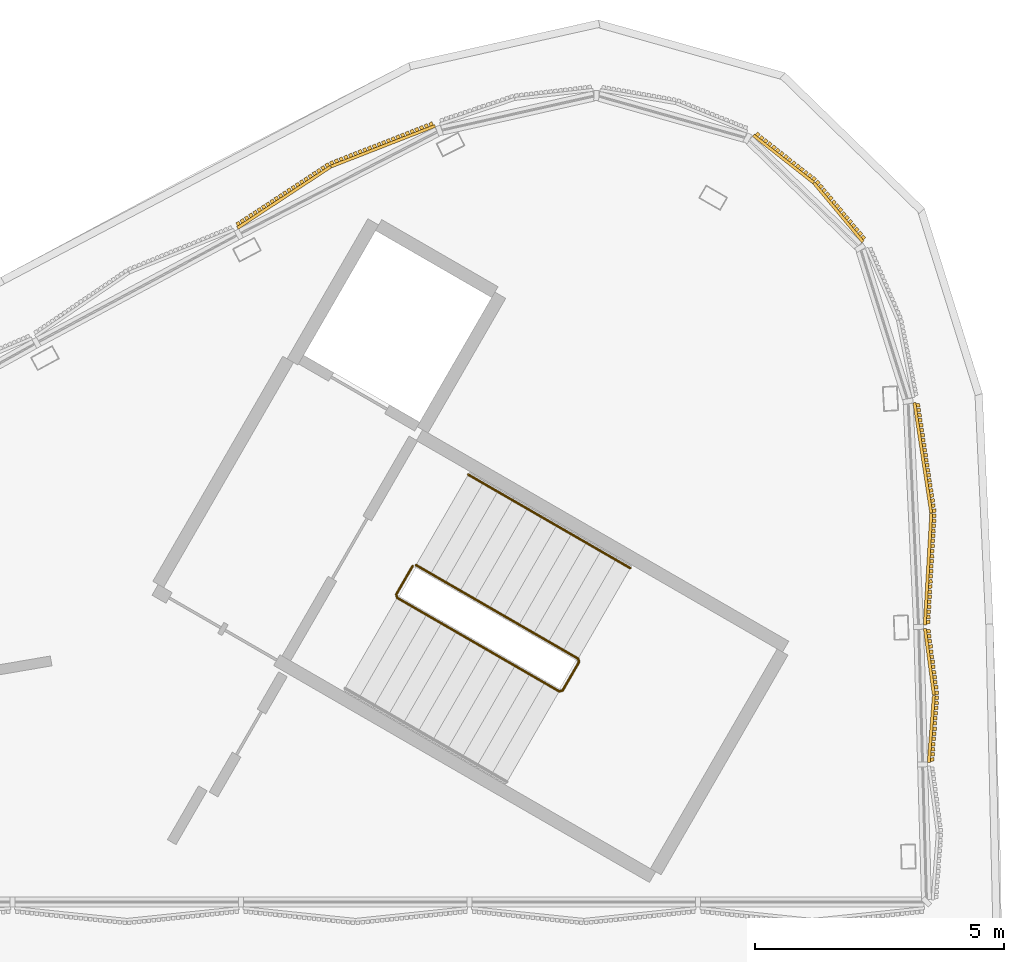
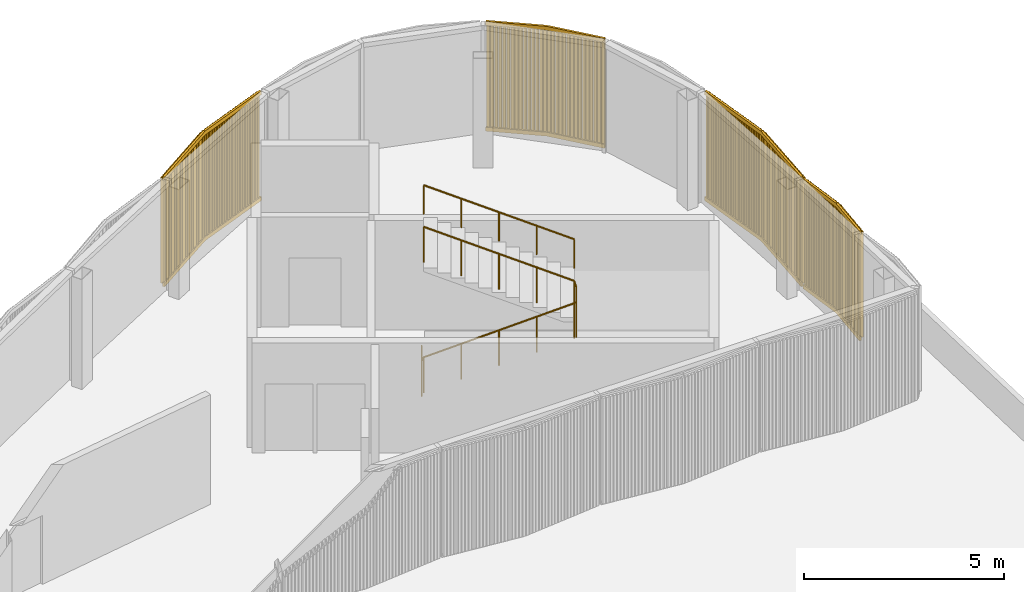
# One storey, part 15 of 16: 4 coverings, 2 railings.
"""IFC4 building model written with IfcOpenShell, lengths in metres."""

from ifc_helpers import new_model, si_unit, direction, frame, frame_2d, origin, origin_2d, place, context, subcontext, project, spatial, rectangle, circle, extrude, source, transform, mapped, material, type_object, element, save


model = new_model("IFC4")

# Units and contexts
model_context = context("Model", 3, precision=1e-05, world=origin(), true_north=direction((0.0, 1.0)))
body_context = subcontext(model_context, "Body", "Model", "MODEL_VIEW")
ifc_project = project(units=[si_unit("LENGTHUNIT", "METRE"), si_unit("AREAUNIT", "SQUARE_METRE"), si_unit("VOLUMEUNIT", "CUBIC_METRE"), si_unit("PLANEANGLEUNIT", "RADIAN"), si_unit("MASSUNIT", "GRAM", prefix="KILO")], contexts=[model_context])

# Site, building, storey
site_placement = place(None, origin())
site = spatial("IfcSite", under=ifc_project, at=site_placement, CompositionType="ELEMENT")
building_placement = place(site_placement, origin())
building = spatial("IfcBuilding", under=site, at=building_placement, Name="Tamra Quay Hotel Tower", CompositionType="ELEMENT")
storey_placement = place(building_placement, frame((0.0, 0.0, 320.60009765625)))
storey = spatial("IfcBuildingStorey", under=building, at=storey_placement, Name="Roof crown 1", CompositionType="ELEMENT", Elevation=320.60009765625)

# Railings
ifc_material_1 = material(Name="Stair guard 1100")
railing_type_1 = type_object("IfcRailingType", Name="Stair guard 1100", PredefinedType="GUARDRAIL", material=ifc_material_1)
railing_1_placement = place(storey_placement, frame((5.595458984375, 12.751953125, 0.0)))
element("IfcRailing", 1, at=railing_1_placement, inside=storey, type_object=railing_type_1, Name="GR", PredefinedType="GUARDRAIL", context=body_context, shape_type="SweptSolid", body=[
    extrude(circle(Radius=0.02392578125, at=origin_2d()), frame((0.0, 0.0, 1.076171875), z_axis=(-0.499765215335, -0.866160914346, 0.0), x_axis=(0.866160914346, -0.499765215335, 0.0)), (0.0, 0.0, 1.0), 0.658935546875),
    extrude(circle(Radius=0.02392578125, at=origin_2d()), frame((-0.329345703125, -0.57080078125, 1.076171875), z_axis=(0.110525977783, -0.411156637351, 0.904839338113), x_axis=(0.965715946433, 0.259601060869, 0.0)), (0.0, 0.0, 1.0), 0.165771484375),
    extrude(circle(Radius=0.02392578125, at=origin_2d()), frame((-0.31103515625, -0.638916015625, 1.22607421875), z_axis=(0.793078462799, -0.457933869594, 0.401650498471), x_axis=(0.500040788363, 0.866001853331, 0.0)), (0.0, 0.0, 1.0), 4.10791015625),
    extrude(circle(Radius=0.02392578125, at=origin_2d()), frame((2.94677734375, -2.52001953125, 2.8759765625), z_axis=(0.965948051503, 0.258736085224, 0.0), x_axis=(-0.258736085224, 0.965948051503, 0.0)), (0.0, 0.0, 1.0), 0.07080078125),
    extrude(circle(Radius=0.02392578125, at=origin_2d()), frame((3.01513671875, -2.501708984375, 2.8759765625), z_axis=(0.500043078269, 0.866000531106, 0.0), x_axis=(-0.866000531106, 0.500043078269, 0.0)), (0.0, 0.0, 1.0), 0.6591796875),
    extrude(circle(Radius=0.02392578125, at=origin_2d()), frame((3.3447265625, -1.930908203125, 2.8759765625), z_axis=(-0.110378772244, 0.410609032747, 0.905105932399), x_axis=(-0.965715946433, -0.259601060869, 0.0)), (0.0, 0.0, 1.0), 0.165771484375),
    extrude(circle(Radius=0.02392578125, at=origin_2d()), frame((3.326416015625, -1.86279296875, 3.02587890625), z_axis=(-0.793100512587, 0.457912285461, 0.401631567183), x_axis=(-0.500012686397, -0.866018079166, 0.0)), (0.0, 0.0, 1.0), 4.10791015625),
    extrude(circle(Radius=0.02099609375, at=origin_2d()), origin(), (0.0, 0.0, 1.0), 1.052001953125),
    extrude(circle(Radius=0.02099609375, at=origin_2d()), frame((-0.329345703125, -0.57080078125, 0.0)), (0.0, 0.0, 1.0), 1.052001953125),
    extrude(circle(Radius=0.02099609375, at=origin_2d()), frame((-0.31103515625, -0.638916015625, 0.14990234375)), (0.0, 0.0, 1.0), 1.052001953125),
    extrude(circle(Radius=0.02099609375, at=origin_2d()), frame((0.50341796875, -1.109130859375, 0.5625)), (0.0, 0.0, 1.0), 1.052001953125),
    extrude(circle(Radius=0.02099609375, at=origin_2d()), frame((1.31787109375, -1.57958984375, 0.974853515625)), (0.0, 0.0, 1.0), 1.052001953125),
    extrude(circle(Radius=0.02099609375, at=origin_2d()), frame((2.13232421875, -2.0498046875, 1.38720703125)), (0.0, 0.0, 1.0), 1.052001953125),
    extrude(circle(Radius=0.02099609375, at=origin_2d()), frame((2.94677734375, -2.52001953125, 1.7998046875)), (0.0, 0.0, 1.0), 1.052001953125),
    extrude(circle(Radius=0.02099609375, at=origin_2d()), frame((3.01513671875, -2.501708984375, 1.7998046875)), (0.0, 0.0, 1.0), 1.052001953125),
    extrude(circle(Radius=0.02099609375, at=origin_2d()), frame((3.3447265625, -1.930908203125, 1.7998046875)), (0.0, 0.0, 1.0), 1.052001953125),
    extrude(circle(Radius=0.02099609375, at=origin_2d()), frame((3.326416015625, -1.86279296875, 1.949951171875)), (0.0, 0.0, 1.0), 1.052001953125),
    extrude(circle(Radius=0.02099609375, at=origin_2d()), frame((2.511962890625, -1.392578125, 2.3623046875)), (0.0, 0.0, 1.0), 1.052001953125),
    extrude(circle(Radius=0.02099609375, at=origin_2d()), frame((1.697265625, -0.92236328125, 2.77490234375)), (0.0, 0.0, 1.0), 1.052001953125),
    extrude(circle(Radius=0.02099609375, at=origin_2d()), frame((0.8828125, -0.451904296875, 3.1875)), (0.0, 0.0, 1.0), 1.052001953125),
    extrude(circle(Radius=0.02099609375, at=origin_2d()), frame((0.068359375, 0.018310546875, 3.599853515625)), (0.0, 0.0, 1.0), 1.052001953125),
])
ifc_material_2 = material(Name="Stair handrail 900")
railing_type_2 = type_object("IfcRailingType", Name="Stair handrail 900", PredefinedType="HANDRAIL", material=ifc_material_2)
railing_2_placement = place(storey_placement, frame((9.971923828125, 12.7080078125, 1.949951171875)))
element("IfcRailing", 2, at=railing_2_placement, inside=storey, type_object=railing_type_2, Name="HR", PredefinedType="HANDRAIL", context=body_context, shape_type="SweptSolid", body=[
    extrude(circle(Radius=0.02392578125, at=origin_2d()), frame((0.0, 0.0, 0.8759765625), z_axis=(-0.793122095483, 0.45786531462, 0.401642496911), x_axis=(-0.499964013922, -0.86604617936, 0.0)), (0.0, 0.0, 1.0), 4.10791015625),
    extrude(circle(Radius=0.02099609375, at=origin_2d()), origin(), (0.0, 0.0, 1.0), 0.851806640625),
    extrude(circle(Radius=0.02099609375, at=origin_2d()), frame((-0.814453125, 0.47021484375, 0.41259765625)), (0.0, 0.0, 1.0), 0.851806640625),
    extrude(circle(Radius=0.02099609375, at=origin_2d()), frame((-1.62890625, 0.9404296875, 0.824951171875)), (0.0, 0.0, 1.0), 0.851806640625),
    extrude(circle(Radius=0.02099609375, at=origin_2d()), frame((-2.443603515625, 1.41064453125, 1.2373046875)), (0.0, 0.0, 1.0), 0.851806640625),
    extrude(circle(Radius=0.02099609375, at=origin_2d()), frame((-3.258056640625, 1.880859375, 1.64990234375)), (0.0, 0.0, 1.0), 0.851806640625),
])

# Coverings
ifc_material_3 = material(Name="Terracotta baguette extruded", Category="masonry")
covering_type = type_object("IfcCoveringType", Name="BAGUETTE SCREEN CROWN H3350", PredefinedType="USERDEFINED", material=ifc_material_3)
shared_shape_1 = source(origin(), body_context, "Body", "SweptSolid", [
    extrude(rectangle(XDim=2.244873046875, YDim=0.06005859375, at=frame_2d((1.12255859375, 0.030029296875))), frame((-2.23876953125, -0.0576171875, -0.1201171875), z_axis=(0.0, 0.0, 1.0), x_axis=(0.994521895368, -0.104528463268, 0.0)), (0.0, 0.0, 1.0), 0.1201171875),
    extrude(rectangle(XDim=2.244873046875, YDim=0.06005859375, at=frame_2d((1.12255859375, 0.030029296875))), frame((-2.23876953125, -0.0576171875, -3.35009765625), z_axis=(0.0, 0.0, 1.0), x_axis=(0.994521895368, -0.104528463268, 0.0)), (0.0, 0.0, 1.0), 0.1201171875),
    extrude(rectangle(XDim=0.070068359375, YDim=0.10009765625, at=frame_2d((0.03515625, 0.050048828125))), frame((-2.216796875, -0.13330078125, -3.2900390625)), (0.0, 0.0, 1.0), 3.22998046875),
    extrude(rectangle(XDim=0.070068359375, YDim=0.10009765625, at=frame_2d((0.03515625, 0.050048828125))), frame((-2.115234375, -0.14404296875, -3.2900390625)), (0.0, 0.0, 1.0), 3.22998046875),
    extrude(rectangle(XDim=0.070068359375, YDim=0.10009765625, at=frame_2d((0.03515625, 0.050048828125))), frame((-2.013916015625, -0.154541015625, -3.2900390625)), (0.0, 0.0, 1.0), 3.22998046875),
    extrude(rectangle(XDim=0.070068359375, YDim=0.10009765625, at=frame_2d((0.03515625, 0.050048828125))), frame((-1.912353515625, -0.165283203125, -3.2900390625)), (0.0, 0.0, 1.0), 3.22998046875),
    extrude(rectangle(XDim=0.070068359375, YDim=0.10009765625, at=frame_2d((0.03515625, 0.050048828125))), frame((-1.810791015625, -0.176025390625, -3.2900390625)), (0.0, 0.0, 1.0), 3.22998046875),
    extrude(rectangle(XDim=0.070068359375, YDim=0.10009765625, at=frame_2d((0.03515625, 0.050048828125))), frame((-1.70947265625, -0.186767578125, -3.2900390625)), (0.0, 0.0, 1.0), 3.22998046875),
    extrude(rectangle(XDim=0.070068359375, YDim=0.10009765625, at=frame_2d((0.03515625, 0.050048828125))), frame((-1.60791015625, -0.197265625, -3.2900390625)), (0.0, 0.0, 1.0), 3.22998046875),
    extrude(rectangle(XDim=0.070068359375, YDim=0.10009765625, at=frame_2d((0.03515625, 0.050048828125))), frame((-1.50634765625, -0.2080078125, -3.2900390625)), (0.0, 0.0, 1.0), 3.22998046875),
    extrude(rectangle(XDim=0.070068359375, YDim=0.10009765625, at=frame_2d((0.03515625, 0.050048828125))), frame((-1.405029296875, -0.21875, -3.2900390625)), (0.0, 0.0, 1.0), 3.22998046875),
    extrude(rectangle(XDim=0.070068359375, YDim=0.10009765625, at=frame_2d((0.03515625, 0.050048828125))), frame((-1.303466796875, -0.229248046875, -3.2900390625)), (0.0, 0.0, 1.0), 3.22998046875),
    extrude(rectangle(XDim=0.070068359375, YDim=0.10009765625, at=frame_2d((0.03515625, 0.050048828125))), frame((-1.201904296875, -0.239990234375, -3.2900390625)), (0.0, 0.0, 1.0), 3.22998046875),
    extrude(rectangle(XDim=0.070068359375, YDim=0.10009765625, at=frame_2d((0.03515625, 0.050048828125))), frame((-1.1005859375, -0.250732421875, -3.2900390625)), (0.0, 0.0, 1.0), 3.22998046875),
    extrude(rectangle(XDim=0.070068359375, YDim=0.10009765625, at=frame_2d((0.03515625, 0.050048828125))), frame((-0.9990234375, -0.26123046875, -3.2900390625)), (0.0, 0.0, 1.0), 3.22998046875),
    extrude(rectangle(XDim=0.070068359375, YDim=0.10009765625, at=frame_2d((0.03515625, 0.050048828125))), frame((-0.8974609375, -0.27197265625, -3.2900390625)), (0.0, 0.0, 1.0), 3.22998046875),
    extrude(rectangle(XDim=0.070068359375, YDim=0.10009765625, at=frame_2d((0.03515625, 0.050048828125))), frame((-0.796142578125, -0.28271484375, -3.2900390625)), (0.0, 0.0, 1.0), 3.22998046875),
    extrude(rectangle(XDim=0.070068359375, YDim=0.10009765625, at=frame_2d((0.03515625, 0.050048828125))), frame((-0.694580078125, -0.293212890625, -3.2900390625)), (0.0, 0.0, 1.0), 3.22998046875),
    extrude(rectangle(XDim=0.070068359375, YDim=0.10009765625, at=frame_2d((0.03515625, 0.050048828125))), frame((-0.593017578125, -0.303955078125, -3.2900390625)), (0.0, 0.0, 1.0), 3.22998046875),
    extrude(rectangle(XDim=0.070068359375, YDim=0.10009765625, at=frame_2d((0.03515625, 0.050048828125))), frame((-0.49169921875, -0.314697265625, -3.2900390625)), (0.0, 0.0, 1.0), 3.22998046875),
    extrude(rectangle(XDim=0.070068359375, YDim=0.10009765625, at=frame_2d((0.03515625, 0.050048828125))), frame((-0.39013671875, -0.325439453125, -3.2900390625)), (0.0, 0.0, 1.0), 3.22998046875),
    extrude(rectangle(XDim=0.070068359375, YDim=0.10009765625, at=frame_2d((0.03515625, 0.050048828125))), frame((-0.28857421875, -0.3359375, -3.2900390625)), (0.0, 0.0, 1.0), 3.22998046875),
    extrude(rectangle(XDim=0.070068359375, YDim=0.10009765625, at=frame_2d((0.03515625, 0.050048828125))), frame((-0.187255859375, -0.3466796875, -3.2900390625)), (0.0, 0.0, 1.0), 3.22998046875),
    extrude(rectangle(XDim=0.070068359375, YDim=0.10009765625, at=frame_2d((0.03515625, 0.050048828125))), frame((-0.085693359375, -0.357421875, -3.2900390625)), (0.0, 0.0, 1.0), 3.22998046875),
    extrude(rectangle(XDim=2.244873046875, YDim=0.06005859375, at=frame_2d((1.12255859375, 0.030029296875))), frame((0.00634765625, -0.292236328125, -0.1201171875), z_axis=(0.0, 0.0, 1.0), x_axis=(0.994521895368, 0.104528463268, 0.0)), (0.0, 0.0, 1.0), 0.1201171875),
    extrude(rectangle(XDim=2.244873046875, YDim=0.06005859375, at=frame_2d((1.12255859375, 0.030029296875))), frame((0.00634765625, -0.292236328125, -3.35009765625), z_axis=(0.0, 0.0, 1.0), x_axis=(0.994521895368, 0.104528463268, 0.0)), (0.0, 0.0, 1.0), 0.1201171875),
    extrude(rectangle(XDim=0.070068359375, YDim=0.10009765625, at=frame_2d((0.03515625, 0.050048828125))), frame((0.015625, -0.357421875, -3.2900390625)), (0.0, 0.0, 1.0), 3.22998046875),
    extrude(rectangle(XDim=0.070068359375, YDim=0.10009765625, at=frame_2d((0.03515625, 0.050048828125))), frame((0.1171875, -0.3466796875, -3.2900390625)), (0.0, 0.0, 1.0), 3.22998046875),
    extrude(rectangle(XDim=0.070068359375, YDim=0.10009765625, at=frame_2d((0.03515625, 0.050048828125))), frame((0.21875, -0.3359375, -3.2900390625)), (0.0, 0.0, 1.0), 3.22998046875),
    extrude(rectangle(XDim=0.070068359375, YDim=0.10009765625, at=frame_2d((0.03515625, 0.050048828125))), frame((0.320068359375, -0.325439453125, -3.2900390625)), (0.0, 0.0, 1.0), 3.22998046875),
    extrude(rectangle(XDim=0.070068359375, YDim=0.10009765625, at=frame_2d((0.03515625, 0.050048828125))), frame((0.421630859375, -0.314697265625, -3.2900390625)), (0.0, 0.0, 1.0), 3.22998046875),
    extrude(rectangle(XDim=0.070068359375, YDim=0.10009765625, at=frame_2d((0.03515625, 0.050048828125))), frame((0.523193359375, -0.303955078125, -3.2900390625)), (0.0, 0.0, 1.0), 3.22998046875),
    extrude(rectangle(XDim=0.070068359375, YDim=0.10009765625, at=frame_2d((0.03515625, 0.050048828125))), frame((0.62451171875, -0.293212890625, -3.2900390625)), (0.0, 0.0, 1.0), 3.22998046875),
    extrude(rectangle(XDim=0.070068359375, YDim=0.10009765625, at=frame_2d((0.03515625, 0.050048828125))), frame((0.72607421875, -0.28271484375, -3.2900390625)), (0.0, 0.0, 1.0), 3.22998046875),
    extrude(rectangle(XDim=0.070068359375, YDim=0.10009765625, at=frame_2d((0.03515625, 0.050048828125))), frame((0.82763671875, -0.27197265625, -3.2900390625)), (0.0, 0.0, 1.0), 3.22998046875),
    extrude(rectangle(XDim=0.070068359375, YDim=0.10009765625, at=frame_2d((0.03515625, 0.050048828125))), frame((0.928955078125, -0.26123046875, -3.2900390625)), (0.0, 0.0, 1.0), 3.22998046875),
    extrude(rectangle(XDim=0.070068359375, YDim=0.10009765625, at=frame_2d((0.03515625, 0.050048828125))), frame((1.030517578125, -0.250732421875, -3.2900390625)), (0.0, 0.0, 1.0), 3.22998046875),
    extrude(rectangle(XDim=0.070068359375, YDim=0.10009765625, at=frame_2d((0.03515625, 0.050048828125))), frame((1.132080078125, -0.239990234375, -3.2900390625)), (0.0, 0.0, 1.0), 3.22998046875),
    extrude(rectangle(XDim=0.070068359375, YDim=0.10009765625, at=frame_2d((0.03515625, 0.050048828125))), frame((1.2333984375, -0.229248046875, -3.2900390625)), (0.0, 0.0, 1.0), 3.22998046875),
    extrude(rectangle(XDim=0.070068359375, YDim=0.10009765625, at=frame_2d((0.03515625, 0.050048828125))), frame((1.3349609375, -0.21875, -3.2900390625)), (0.0, 0.0, 1.0), 3.22998046875),
    extrude(rectangle(XDim=0.070068359375, YDim=0.10009765625, at=frame_2d((0.03515625, 0.050048828125))), frame((1.4365234375, -0.2080078125, -3.2900390625)), (0.0, 0.0, 1.0), 3.22998046875),
    extrude(rectangle(XDim=0.070068359375, YDim=0.10009765625, at=frame_2d((0.03515625, 0.050048828125))), frame((1.537841796875, -0.197265625, -3.2900390625)), (0.0, 0.0, 1.0), 3.22998046875),
    extrude(rectangle(XDim=0.070068359375, YDim=0.10009765625, at=frame_2d((0.03515625, 0.050048828125))), frame((1.639404296875, -0.186767578125, -3.2900390625)), (0.0, 0.0, 1.0), 3.22998046875),
    extrude(rectangle(XDim=0.070068359375, YDim=0.10009765625, at=frame_2d((0.03515625, 0.050048828125))), frame((1.740966796875, -0.176025390625, -3.2900390625)), (0.0, 0.0, 1.0), 3.22998046875),
    extrude(rectangle(XDim=0.070068359375, YDim=0.10009765625, at=frame_2d((0.03515625, 0.050048828125))), frame((1.84228515625, -0.165283203125, -3.2900390625)), (0.0, 0.0, 1.0), 3.22998046875),
    extrude(rectangle(XDim=0.070068359375, YDim=0.10009765625, at=frame_2d((0.03515625, 0.050048828125))), frame((1.94384765625, -0.154541015625, -3.2900390625)), (0.0, 0.0, 1.0), 3.22998046875),
    extrude(rectangle(XDim=0.070068359375, YDim=0.10009765625, at=frame_2d((0.03515625, 0.050048828125))), frame((2.045166015625, -0.14404296875, -3.2900390625)), (0.0, 0.0, 1.0), 3.22998046875),
    extrude(rectangle(XDim=0.070068359375, YDim=0.10009765625, at=frame_2d((0.03515625, 0.050048828125))), frame((2.146728515625, -0.13330078125, -3.2900390625)), (0.0, 0.0, 1.0), 3.22998046875),
])
for number, where, z_axis, x_axis, name in (
    (3, (15.759521484375, 13.80078125, 3.349853515625), (0.0, 0.0, 1.0), (-0.046821305973, 0.998903281257, 0.0), "Baguette screen Roof crown 1.A.f00"),
    (4, (4.072021484375, 20.548583984375, 3.349853515625), (0.0, 0.0, 1.0), (-0.888486270479, -0.458903200218, 0.0), "Baguette screen Roof crown 1.A.f05"),
):
    element("IfcCovering", number, at=place(storey_placement, frame(where, z_axis=z_axis, x_axis=x_axis)), inside=storey, type_object=covering_type, Name=name, ObjectType="BAGUETTE SCREEN", PredefinedType="USERDEFINED", context=body_context, shape_type="MappedRepresentation", body=[
        mapped(shared_shape_1, transform((0.0, 0.0, 0.0), scale=1.0)),
    ])
shared_shape_2 = source(origin(), body_context, "Body", "SweptSolid", [
    extrude(rectangle(XDim=1.541015625, YDim=0.06005859375, at=frame_2d((0.7705078125, 0.030029296875))), frame((-1.538818359375, -0.0576171875, -0.1201171875), z_axis=(0.0, 0.0, 1.0), x_axis=(0.994521895368, -0.104528463268, 0.0)), (0.0, 0.0, 1.0), 0.1201171875),
    extrude(rectangle(XDim=1.541015625, YDim=0.06005859375, at=frame_2d((0.7705078125, 0.030029296875))), frame((-1.538818359375, -0.0576171875, -3.35009765625), z_axis=(0.0, 0.0, 1.0), x_axis=(0.994521895368, -0.104528463268, 0.0)), (0.0, 0.0, 1.0), 0.1201171875),
    extrude(rectangle(XDim=0.070068359375, YDim=0.10009765625, at=frame_2d((0.03515625, 0.050048828125))), frame((-1.516357421875, -0.13330078125, -3.2900390625)), (0.0, 0.0, 1.0), 3.22998046875),
    extrude(rectangle(XDim=0.070068359375, YDim=0.10009765625, at=frame_2d((0.03515625, 0.050048828125))), frame((-1.414306640625, -0.14404296875, -3.2900390625)), (0.0, 0.0, 1.0), 3.22998046875),
    extrude(rectangle(XDim=0.070068359375, YDim=0.10009765625, at=frame_2d((0.03515625, 0.050048828125))), frame((-1.31201171875, -0.15478515625, -3.2900390625)), (0.0, 0.0, 1.0), 3.22998046875),
    extrude(rectangle(XDim=0.070068359375, YDim=0.10009765625, at=frame_2d((0.03515625, 0.050048828125))), frame((-1.2099609375, -0.16552734375, -3.2900390625)), (0.0, 0.0, 1.0), 3.22998046875),
    extrude(rectangle(XDim=0.070068359375, YDim=0.10009765625, at=frame_2d((0.03515625, 0.050048828125))), frame((-1.107666015625, -0.17626953125, -3.2900390625)), (0.0, 0.0, 1.0), 3.22998046875),
    extrude(rectangle(XDim=0.070068359375, YDim=0.10009765625, at=frame_2d((0.03515625, 0.050048828125))), frame((-1.005615234375, -0.18701171875, -3.2900390625)), (0.0, 0.0, 1.0), 3.22998046875),
    extrude(rectangle(XDim=0.070068359375, YDim=0.10009765625, at=frame_2d((0.03515625, 0.050048828125))), frame((-0.9033203125, -0.19775390625, -3.2900390625)), (0.0, 0.0, 1.0), 3.22998046875),
    extrude(rectangle(XDim=0.070068359375, YDim=0.10009765625, at=frame_2d((0.03515625, 0.050048828125))), frame((-0.80126953125, -0.20849609375, -3.2900390625)), (0.0, 0.0, 1.0), 3.22998046875),
    extrude(rectangle(XDim=0.070068359375, YDim=0.10009765625, at=frame_2d((0.03515625, 0.050048828125))), frame((-0.698974609375, -0.21923828125, -3.2900390625)), (0.0, 0.0, 1.0), 3.22998046875),
    extrude(rectangle(XDim=0.070068359375, YDim=0.10009765625, at=frame_2d((0.03515625, 0.050048828125))), frame((-0.596923828125, -0.22998046875, -3.2900390625)), (0.0, 0.0, 1.0), 3.22998046875),
    extrude(rectangle(XDim=0.070068359375, YDim=0.10009765625, at=frame_2d((0.03515625, 0.050048828125))), frame((-0.49462890625, -0.24072265625, -3.2900390625)), (0.0, 0.0, 1.0), 3.22998046875),
    extrude(rectangle(XDim=0.070068359375, YDim=0.10009765625, at=frame_2d((0.03515625, 0.050048828125))), frame((-0.392578125, -0.25146484375, -3.2900390625)), (0.0, 0.0, 1.0), 3.22998046875),
    extrude(rectangle(XDim=0.070068359375, YDim=0.10009765625, at=frame_2d((0.03515625, 0.050048828125))), frame((-0.29052734375, -0.26220703125, -3.2900390625)), (0.0, 0.0, 1.0), 3.22998046875),
    extrude(rectangle(XDim=0.070068359375, YDim=0.10009765625, at=frame_2d((0.03515625, 0.050048828125))), frame((-0.188232421875, -0.27294921875, -3.2900390625)), (0.0, 0.0, 1.0), 3.22998046875),
    extrude(rectangle(XDim=0.070068359375, YDim=0.10009765625, at=frame_2d((0.03515625, 0.050048828125))), frame((-0.086181640625, -0.28369140625, -3.2900390625)), (0.0, 0.0, 1.0), 3.22998046875),
    extrude(rectangle(XDim=1.541015625, YDim=0.06005859375, at=frame_2d((0.7705078125, 0.030029296875))), frame((0.00634765625, -0.21875, -0.1201171875), z_axis=(0.0, 0.0, 1.0), x_axis=(0.994521895368, 0.104528463268, 0.0)), (0.0, 0.0, 1.0), 0.1201171875),
    extrude(rectangle(XDim=1.541015625, YDim=0.06005859375, at=frame_2d((0.7705078125, 0.030029296875))), frame((0.00634765625, -0.21875, -3.35009765625), z_axis=(0.0, 0.0, 1.0), x_axis=(0.994521895368, 0.104528463268, 0.0)), (0.0, 0.0, 1.0), 0.1201171875),
    extrude(rectangle(XDim=0.070068359375, YDim=0.10009765625, at=frame_2d((0.03515625, 0.050048828125))), frame((0.01611328125, -0.28369140625, -3.2900390625)), (0.0, 0.0, 1.0), 3.22998046875),
    extrude(rectangle(XDim=0.070068359375, YDim=0.10009765625, at=frame_2d((0.03515625, 0.050048828125))), frame((0.1181640625, -0.27294921875, -3.2900390625)), (0.0, 0.0, 1.0), 3.22998046875),
    extrude(rectangle(XDim=0.070068359375, YDim=0.10009765625, at=frame_2d((0.03515625, 0.050048828125))), frame((0.220458984375, -0.26220703125, -3.2900390625)), (0.0, 0.0, 1.0), 3.22998046875),
    extrude(rectangle(XDim=0.070068359375, YDim=0.10009765625, at=frame_2d((0.03515625, 0.050048828125))), frame((0.322509765625, -0.25146484375, -3.2900390625)), (0.0, 0.0, 1.0), 3.22998046875),
    extrude(rectangle(XDim=0.070068359375, YDim=0.10009765625, at=frame_2d((0.03515625, 0.050048828125))), frame((0.4248046875, -0.24072265625, -3.2900390625)), (0.0, 0.0, 1.0), 3.22998046875),
    extrude(rectangle(XDim=0.070068359375, YDim=0.10009765625, at=frame_2d((0.03515625, 0.050048828125))), frame((0.52685546875, -0.22998046875, -3.2900390625)), (0.0, 0.0, 1.0), 3.22998046875),
    extrude(rectangle(XDim=0.070068359375, YDim=0.10009765625, at=frame_2d((0.03515625, 0.050048828125))), frame((0.629150390625, -0.21923828125, -3.2900390625)), (0.0, 0.0, 1.0), 3.22998046875),
    extrude(rectangle(XDim=0.070068359375, YDim=0.10009765625, at=frame_2d((0.03515625, 0.050048828125))), frame((0.731201171875, -0.20849609375, -3.2900390625)), (0.0, 0.0, 1.0), 3.22998046875),
    extrude(rectangle(XDim=0.070068359375, YDim=0.10009765625, at=frame_2d((0.03515625, 0.050048828125))), frame((0.83349609375, -0.19775390625, -3.2900390625)), (0.0, 0.0, 1.0), 3.22998046875),
    extrude(rectangle(XDim=0.070068359375, YDim=0.10009765625, at=frame_2d((0.03515625, 0.050048828125))), frame((0.935546875, -0.18701171875, -3.2900390625)), (0.0, 0.0, 1.0), 3.22998046875),
    extrude(rectangle(XDim=0.070068359375, YDim=0.10009765625, at=frame_2d((0.03515625, 0.050048828125))), frame((1.037841796875, -0.17626953125, -3.2900390625)), (0.0, 0.0, 1.0), 3.22998046875),
    extrude(rectangle(XDim=0.070068359375, YDim=0.10009765625, at=frame_2d((0.03515625, 0.050048828125))), frame((1.139892578125, -0.16552734375, -3.2900390625)), (0.0, 0.0, 1.0), 3.22998046875),
    extrude(rectangle(XDim=0.070068359375, YDim=0.10009765625, at=frame_2d((0.03515625, 0.050048828125))), frame((1.2421875, -0.15478515625, -3.2900390625)), (0.0, 0.0, 1.0), 3.22998046875),
    extrude(rectangle(XDim=0.070068359375, YDim=0.10009765625, at=frame_2d((0.03515625, 0.050048828125))), frame((1.34423828125, -0.14404296875, -3.2900390625)), (0.0, 0.0, 1.0), 3.22998046875),
    extrude(rectangle(XDim=0.070068359375, YDim=0.10009765625, at=frame_2d((0.03515625, 0.050048828125))), frame((1.446533203125, -0.13330078125, -3.2900390625)), (0.0, 0.0, 1.0), 3.22998046875),
])
covering_1_placement = place(storey_placement, frame((13.52734375, 20.320556640625, 3.349853515625), z_axis=(0.0, 0.0, 1.0), x_axis=(-0.716752699854, 0.69732744622, 0.0)))
element("IfcCovering", 5, at=covering_1_placement, inside=storey, type_object=covering_type, Name="Baguette screen Roof crown 1.A.f02", ObjectType="BAGUETTE SCREEN", PredefinedType="USERDEFINED", context=body_context, shape_type="MappedRepresentation", body=[
    mapped(shared_shape_2, transform((0.0, 0.0, 0.0), scale=1.0)),
])
shared_shape_3 = source(origin(), body_context, "Body", "SweptSolid", [
    extrude(rectangle(XDim=1.349853515625, YDim=0.06005859375, at=frame_2d((0.6748046875, 0.030029296875))), frame((-1.348876953125, -0.0576171875, -0.1201171875), z_axis=(0.0, 0.0, 1.0), x_axis=(0.994521895368, -0.104528463268, 0.0)), (0.0, 0.0, 1.0), 0.1201171875),
    extrude(rectangle(XDim=1.349853515625, YDim=0.06005859375, at=frame_2d((0.6748046875, 0.030029296875))), frame((-1.348876953125, -0.0576171875, -3.35009765625), z_axis=(0.0, 0.0, 1.0), x_axis=(0.994521895368, -0.104528463268, 0.0)), (0.0, 0.0, 1.0), 0.1201171875),
    extrude(rectangle(XDim=0.070068359375, YDim=0.10009765625, at=frame_2d((0.03515625, 0.050048828125))), frame((-1.325927734375, -0.133544921875, -3.2900390625)), (0.0, 0.0, 1.0), 3.22998046875),
    extrude(rectangle(XDim=0.070068359375, YDim=0.10009765625, at=frame_2d((0.03515625, 0.050048828125))), frame((-1.22265625, -0.144287109375, -3.2900390625)), (0.0, 0.0, 1.0), 3.22998046875),
    extrude(rectangle(XDim=0.070068359375, YDim=0.10009765625, at=frame_2d((0.03515625, 0.050048828125))), frame((-1.119384765625, -0.155029296875, -3.2900390625)), (0.0, 0.0, 1.0), 3.22998046875),
    extrude(rectangle(XDim=0.070068359375, YDim=0.10009765625, at=frame_2d((0.03515625, 0.050048828125))), frame((-1.01611328125, -0.166015625, -3.2900390625)), (0.0, 0.0, 1.0), 3.22998046875),
    extrude(rectangle(XDim=0.070068359375, YDim=0.10009765625, at=frame_2d((0.03515625, 0.050048828125))), frame((-0.912841796875, -0.1767578125, -3.2900390625)), (0.0, 0.0, 1.0), 3.22998046875),
    extrude(rectangle(XDim=0.070068359375, YDim=0.10009765625, at=frame_2d((0.03515625, 0.050048828125))), frame((-0.8095703125, -0.187744140625, -3.2900390625)), (0.0, 0.0, 1.0), 3.22998046875),
    extrude(rectangle(XDim=0.070068359375, YDim=0.10009765625, at=frame_2d((0.03515625, 0.050048828125))), frame((-0.706298828125, -0.198486328125, -3.2900390625)), (0.0, 0.0, 1.0), 3.22998046875),
    extrude(rectangle(XDim=0.070068359375, YDim=0.10009765625, at=frame_2d((0.03515625, 0.050048828125))), frame((-0.60302734375, -0.20947265625, -3.2900390625)), (0.0, 0.0, 1.0), 3.22998046875),
    extrude(rectangle(XDim=0.070068359375, YDim=0.10009765625, at=frame_2d((0.03515625, 0.050048828125))), frame((-0.499755859375, -0.22021484375, -3.2900390625)), (0.0, 0.0, 1.0), 3.22998046875),
    extrude(rectangle(XDim=0.070068359375, YDim=0.10009765625, at=frame_2d((0.03515625, 0.050048828125))), frame((-0.396484375, -0.231201171875, -3.2900390625)), (0.0, 0.0, 1.0), 3.22998046875),
    extrude(rectangle(XDim=0.070068359375, YDim=0.10009765625, at=frame_2d((0.03515625, 0.050048828125))), frame((-0.293212890625, -0.241943359375, -3.2900390625)), (0.0, 0.0, 1.0), 3.22998046875),
    extrude(rectangle(XDim=0.070068359375, YDim=0.10009765625, at=frame_2d((0.03515625, 0.050048828125))), frame((-0.18994140625, -0.2529296875, -3.2900390625)), (0.0, 0.0, 1.0), 3.22998046875),
    extrude(rectangle(XDim=0.070068359375, YDim=0.10009765625, at=frame_2d((0.03515625, 0.050048828125))), frame((-0.086669921875, -0.263671875, -3.2900390625)), (0.0, 0.0, 1.0), 3.22998046875),
    extrude(rectangle(XDim=1.349853515625, YDim=0.06005859375, at=frame_2d((0.6748046875, 0.030029296875))), frame((0.00634765625, -0.19873046875, -0.1201171875), z_axis=(0.0, 0.0, 1.0), x_axis=(0.994521895368, 0.104528463268, 0.0)), (0.0, 0.0, 1.0), 0.1201171875),
    extrude(rectangle(XDim=1.349853515625, YDim=0.06005859375, at=frame_2d((0.6748046875, 0.030029296875))), frame((0.00634765625, -0.19873046875, -3.35009765625), z_axis=(0.0, 0.0, 1.0), x_axis=(0.994521895368, 0.104528463268, 0.0)), (0.0, 0.0, 1.0), 0.1201171875),
    extrude(rectangle(XDim=0.070068359375, YDim=0.10009765625, at=frame_2d((0.03515625, 0.050048828125))), frame((0.0166015625, -0.263671875, -3.2900390625)), (0.0, 0.0, 1.0), 3.22998046875),
    extrude(rectangle(XDim=0.070068359375, YDim=0.10009765625, at=frame_2d((0.03515625, 0.050048828125))), frame((0.119873046875, -0.2529296875, -3.2900390625)), (0.0, 0.0, 1.0), 3.22998046875),
    extrude(rectangle(XDim=0.070068359375, YDim=0.10009765625, at=frame_2d((0.03515625, 0.050048828125))), frame((0.22314453125, -0.241943359375, -3.2900390625)), (0.0, 0.0, 1.0), 3.22998046875),
    extrude(rectangle(XDim=0.070068359375, YDim=0.10009765625, at=frame_2d((0.03515625, 0.050048828125))), frame((0.326416015625, -0.231201171875, -3.2900390625)), (0.0, 0.0, 1.0), 3.22998046875),
    extrude(rectangle(XDim=0.070068359375, YDim=0.10009765625, at=frame_2d((0.03515625, 0.050048828125))), frame((0.4296875, -0.22021484375, -3.2900390625)), (0.0, 0.0, 1.0), 3.22998046875),
    extrude(rectangle(XDim=0.070068359375, YDim=0.10009765625, at=frame_2d((0.03515625, 0.050048828125))), frame((0.532958984375, -0.20947265625, -3.2900390625)), (0.0, 0.0, 1.0), 3.22998046875),
    extrude(rectangle(XDim=0.070068359375, YDim=0.10009765625, at=frame_2d((0.03515625, 0.050048828125))), frame((0.63623046875, -0.198486328125, -3.2900390625)), (0.0, 0.0, 1.0), 3.22998046875),
    extrude(rectangle(XDim=0.070068359375, YDim=0.10009765625, at=frame_2d((0.03515625, 0.050048828125))), frame((0.739501953125, -0.187744140625, -3.2900390625)), (0.0, 0.0, 1.0), 3.22998046875),
    extrude(rectangle(XDim=0.070068359375, YDim=0.10009765625, at=frame_2d((0.03515625, 0.050048828125))), frame((0.8427734375, -0.1767578125, -3.2900390625)), (0.0, 0.0, 1.0), 3.22998046875),
    extrude(rectangle(XDim=0.070068359375, YDim=0.10009765625, at=frame_2d((0.03515625, 0.050048828125))), frame((0.946044921875, -0.166015625, -3.2900390625)), (0.0, 0.0, 1.0), 3.22998046875),
    extrude(rectangle(XDim=0.070068359375, YDim=0.10009765625, at=frame_2d((0.03515625, 0.050048828125))), frame((1.04931640625, -0.155029296875, -3.2900390625)), (0.0, 0.0, 1.0), 3.22998046875),
    extrude(rectangle(XDim=0.070068359375, YDim=0.10009765625, at=frame_2d((0.03515625, 0.050048828125))), frame((1.152587890625, -0.144287109375, -3.2900390625)), (0.0, 0.0, 1.0), 3.22998046875),
    extrude(rectangle(XDim=0.070068359375, YDim=0.10009765625, at=frame_2d((0.03515625, 0.050048828125))), frame((1.255859375, -0.133544921875, -3.2900390625)), (0.0, 0.0, 1.0), 3.22998046875),
])
covering_2_placement = place(storey_placement, frame((15.905517578125, 10.149169921875, 3.349853515625), z_axis=(0.0, 0.0, 1.0), x_axis=(-0.028649831581, 0.999589509324, 0.0)))
element("IfcCovering", 6, at=covering_2_placement, inside=storey, type_object=covering_type, Name="Baguette screen Roof crown 1.A.f21", ObjectType="BAGUETTE SCREEN", PredefinedType="USERDEFINED", context=body_context, shape_type="MappedRepresentation", body=[
    mapped(shared_shape_3, transform((0.0, 0.0, 0.0), scale=1.0)),
])

save(model, "model.ifc")
